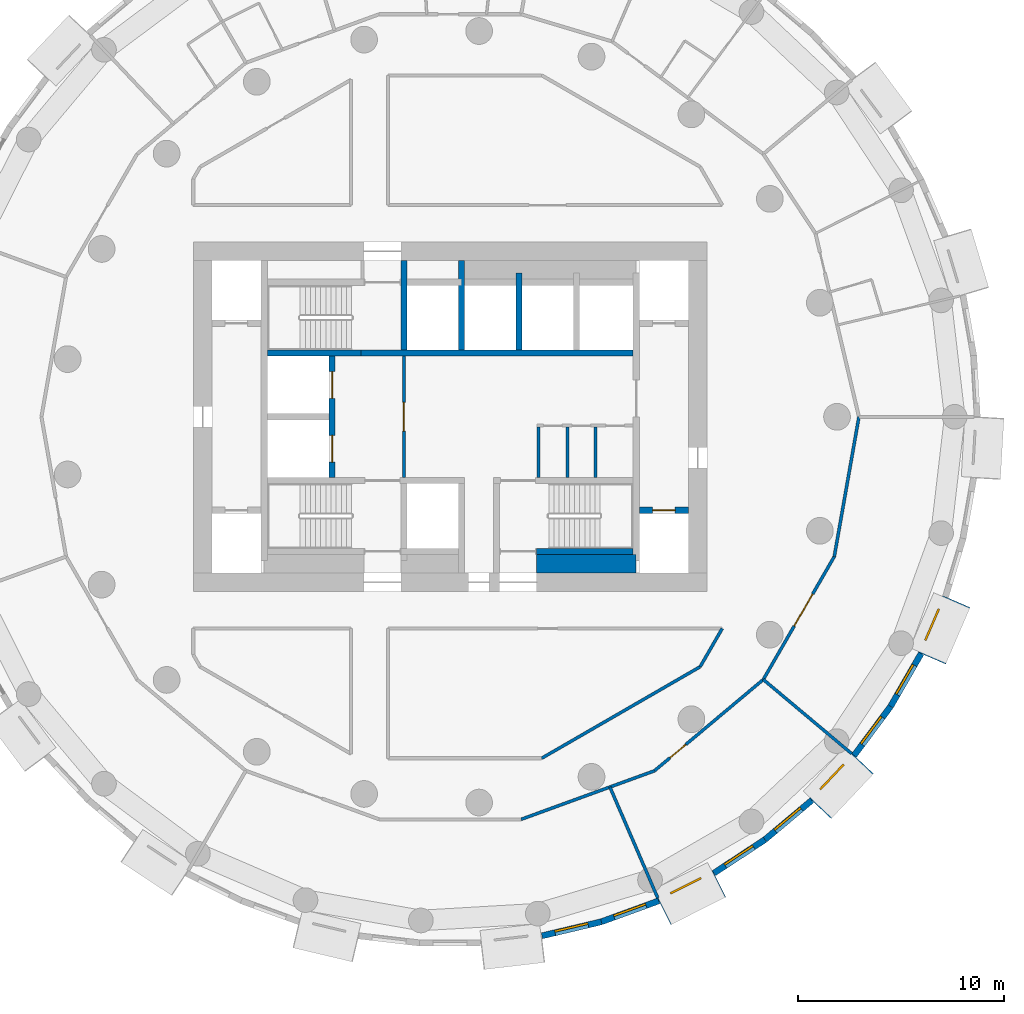
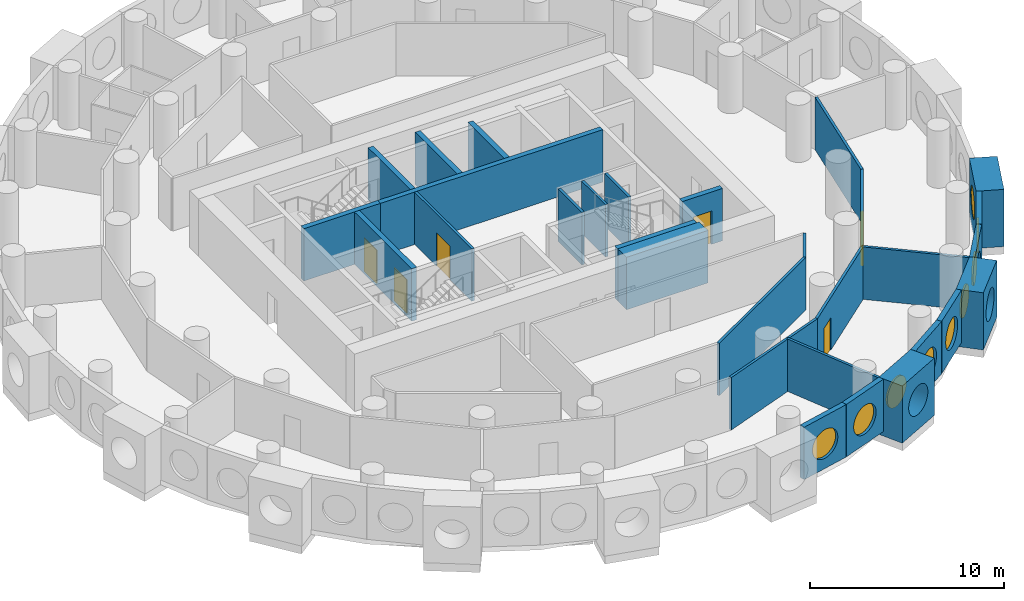
# One storey, part 4 of 9: 30 walls, 9 windows, 6 doors, 15 openings.
"""IFC4 building model written with IfcOpenShell, lengths in metres."""

from ifc_helpers import new_model, si_unit, direction, frame, frame_2d, origin, origin_2d, place, context, subcontext, project, spatial, rectangle, circle, extrude, material, layer, layer_set, type_object, element, fill, save


model = new_model("IFC4")

# Units and contexts
model_context = context("Model", 3, precision=1e-05, world=origin(), true_north=direction((0.0, 1.0)))
body_context = subcontext(model_context, "Body", "Model", "MODEL_VIEW")
ifc_project = project(units=[si_unit("LENGTHUNIT", "METRE"), si_unit("AREAUNIT", "SQUARE_METRE"), si_unit("VOLUMEUNIT", "CUBIC_METRE"), si_unit("PLANEANGLEUNIT", "RADIAN"), si_unit("MASSUNIT", "GRAM", prefix="KILO")], contexts=[model_context])

# Site, building, storey
site_placement = place(None, origin())
site = spatial("IfcSite", under=ifc_project, at=site_placement, CompositionType="ELEMENT")
building_placement = place(site_placement, origin())
building = spatial("IfcBuilding", under=site, at=building_placement, Name="Tracery Tower", CompositionType="ELEMENT")
storey_placement = place(building_placement, frame((0.0, 0.0, 176.39990234375)))
storey = spatial("IfcBuildingStorey", under=building, at=storey_placement, Name="L45", CompositionType="ELEMENT", Elevation=176.39990234375)

# Wall, opening, door
ifc_material_1 = material(Name="Plasterboard on steel studs", Category="steel")
ifc_layer_1 = layer(ifc_material_1, 0.14990234375)
ifc_layer_set_1 = layer_set([ifc_layer_1], Name="Core lobby partition 150")
wall_type_1 = type_object("IfcWallType", Name="Core lobby partition 150", PredefinedType="SOLIDWALL", material=ifc_layer_set_1)
wall_1_placement = place(storey_placement, frame((-2.25, -2.949951171875, 0.0), z_axis=(0.0, 0.0, 1.0), x_axis=(0.0, 1.0, 0.0)))
wall_1 = element("IfcWall", 1, at=wall_1_placement, inside=storey, type_object=wall_type_1, Name="L45 FF lobby E", PredefinedType="SOLIDWALL", context=body_context, shape_type="SweptSolid", body=[
    extrude(rectangle(XDim=5.89990234375, YDim=0.14990234375, at=frame_2d((2.949951171875, 0.0))), origin(), (0.0, 0.0, 1.0), 3.300048828125),
])
opening_1_placement = place(wall_1_placement, frame((2.25, 0.0, 0.0)))
opening_1 = element("IfcOpeningElement", 2, at=opening_1_placement, cuts=wall_1, Name="Opening KD8", PredefinedType="OPENING", context=body_context, shape_type="SweptSolid", body=[
    extrude(rectangle(XDim=1.39990234375, YDim=2.10009765625, at=frame_2d((0.699951171875, 1.050048828125))), frame((0.0, 0.074951171875, 0.0), z_axis=(0.0, -1.0, 0.0), x_axis=(1.0, 0.0, 0.0)), (0.0, 0.0, 1.0), 0.14990234375),
])
ifc_material_2 = material(Name="Steel fire door", Category="steel")
door_type_1 = type_object("IfcDoorType", Name="Core lobby door 1400 double", OperationType="NOTDEFINED", PredefinedType="DOOR", material=ifc_material_2)
door_1_placement = place(opening_1_placement, origin())
door_1 = element("IfcDoor", 3, at=door_1_placement, inside=storey, type_object=door_type_1, Name="Fire-fighting lobby door", OperationType="DOUBLE_DOOR_SINGLE_SWING", OverallHeight=2.10009765625, OverallWidth=1.39990234375, PredefinedType="DOOR", context=body_context, shape_type="SweptSolid", body=[
    extrude(rectangle(XDim=1.39990234375, YDim=2.10009765625, at=frame_2d((0.699951171875, 1.050048828125))), frame((0.0, 0.02490234375, 0.0), z_axis=(0.0, -1.0, 0.0), x_axis=(1.0, 0.0, 0.0)), (0.0, 0.0, 1.0), 0.050048828125),
])
fill(opening_1, door_1)

# Walls
ifc_material_3 = material(Name="Plasterboard on steel studs", Category="steel")
ifc_layer_2 = layer(ifc_material_3, 0.14990234375)
ifc_layer_set_2 = layer_set([ifc_layer_2], Name="Core room partition 150")
wall_type_2 = type_object("IfcWallType", Name="Core room partition 150", PredefinedType="SOLIDWALL", material=ifc_layer_set_2)
for number, where, z_axis, x_axis, name in (
    (4, (4.300048828125, -2.949951171875, 0.0), (0.0, 0.0, 1.0), (0.0, 1.0, 0.0), "L45 slot W"),
    (5, (5.699951171875, -2.949951171875, 0.0), (0.0, 0.0, 1.0), (0.0, 1.0, 0.0), "L45 slot sep 1"),
    (6, (7.074951171875, -2.949951171875, 0.0), (0.0, 0.0, 1.0), (0.0, 1.0, 0.0), "L45 slot sep 2"),
):
    element("IfcWall", number, at=place(storey_placement, frame(where, z_axis=z_axis, x_axis=x_axis)), inside=storey, type_object=wall_type_2, Name=name, PredefinedType="SOLIDWALL", context=body_context, shape_type="SweptSolid", body=[
        extrude(rectangle(XDim=2.449951171875, YDim=0.14990234375, at=frame_2d((1.22509765625, 0.0))), origin(), (0.0, 0.0, 1.0), 3.300048828125),
    ])
ifc_material_4 = material(Name="Concrete C50/60", Category="concrete")
ifc_layer_3 = layer(ifc_material_4, 0.89990234375)
ifc_layer_set_3 = layer_set([ifc_layer_3], Name="Core strip wall 900 C50")
wall_type_3 = type_object("IfcWallType", Name="Core strip wall 900 C50", PredefinedType="SOLIDWALL", material=ifc_layer_set_3)
wall_2_placement = place(storey_placement, frame((4.199951171875, -7.14990234375, 0.0), z_axis=(0.0, 0.0, 1.0), x_axis=(1.0, 0.0, 0.0)))
element("IfcWall", 7, at=wall_2_placement, inside=storey, type_object=wall_type_3, Name="L45 F thick S E", PredefinedType="SOLIDWALL", context=body_context, shape_type="SweptSolid", body=[
    extrude(rectangle(XDim=4.85009765625, YDim=0.89990234375, at=frame_2d((2.425048828125, 0.0))), origin(), (0.0, 0.0, 1.0), 3.300048828125),
])

# Wall, opening, window
ifc_material_5 = material(Name="Precast concrete C50/60", Category="concrete")
ifc_layer_4 = layer(ifc_material_5, 1.449951171875)
ifc_layer_set_4 = layer_set([ifc_layer_4], Name="Deep-set bay unit 3000 x 3600, slab edge 300")
wall_type_4 = type_object("IfcWallType", Name="Deep-set bay unit 3000 x 3600, slab edge 300", PredefinedType="ELEMENTEDWALL", material=ifc_layer_set_4)
wall_3_placement = place(storey_placement, frame((10.40869140625, -24.067626953125, -0.2998046875), z_axis=(0.0, 0.0, 1.0), x_axis=(0.893628249713, 0.448807922518, 0.0)))
wall_3 = element("IfcWall", 8, at=wall_3_placement, inside=storey, type_object=wall_type_4, Name="Deep-set bay unit 45 at L45", PredefinedType="ELEMENTEDWALL", context=body_context, shape_type="SweptSolid", body=[
    extrude(rectangle(XDim=3.0, YDim=1.449951171875, at=frame_2d((1.5, 0.0))), origin(), (0.0, 0.0, 1.0), 3.599853515625),
])
opening_2_placement = place(wall_3_placement, frame((1.5, 0.0, 1.85009765625)))
opening_2 = element("IfcOpeningElement", 9, at=opening_2_placement, cuts=wall_3, Name="Opening WN1", PredefinedType="OPENING", context=body_context, shape_type="SweptSolid", body=[
    extrude(circle(Radius=0.9000244140625, at=origin_2d()), frame((0.0, 0.73486328125, 0.0), z_axis=(0.0, -1.0, 0.0), x_axis=(1.0, 0.0, 0.0)), (0.0, 0.0, 1.0), 1.469970703125),
])
ifc_material_6 = material(Name="Aluminium frame with tinted double glazing", Category="aluminium")
window_type = type_object("IfcWindowType", Name="Round window 1800", PartitioningType="SINGLE_PANEL", PredefinedType="WINDOW", material=ifc_material_6)
window_1_placement = place(opening_2_placement, origin())
window_1 = element("IfcWindow", 10, at=window_1_placement, inside=storey, type_object=window_type, Name="Round window 45 at L45", OverallHeight=1.800048828125, OverallWidth=1.800048828125, PartitioningType="SINGLE_PANEL", PredefinedType="WINDOW", context=body_context, shape_type="SweptSolid", body=[
    extrude(circle(Radius=0.9000244140625, at=origin_2d()), frame((0.0, 0.69482421875, 0.0), z_axis=(0.0, -1.0, 0.0), x_axis=(1.0, 0.0, 0.0)), (0.0, 0.0, 1.0), 0.10009765625),
])
fill(opening_2, window_1)

wall_4_placement = place(storey_placement, frame((18.0126953125, -19.05615234375, -0.2998046875), z_axis=(0.0, 0.0, 1.0), x_axis=(0.686217177108, 0.727396718334, 0.0)))
wall_4 = element("IfcWall", 11, at=wall_4_placement, inside=storey, type_object=wall_type_4, Name="Deep-set bay unit 48 at L45", PredefinedType="ELEMENTEDWALL", context=body_context, shape_type="SweptSolid", body=[
    extrude(rectangle(XDim=3.0, YDim=1.449951171875, at=frame_2d((1.5, 0.0))), origin(), (0.0, 0.0, 1.0), 3.599853515625),
])
opening_3_placement = place(wall_4_placement, frame((1.5, 0.0, 1.85009765625)))
opening_3 = element("IfcOpeningElement", 12, at=opening_3_placement, cuts=wall_4, Name="Opening WN1", PredefinedType="OPENING", context=body_context, shape_type="SweptSolid", body=[
    extrude(circle(Radius=0.9000244140625, at=origin_2d()), frame((0.0, 0.73486328125, 0.0), z_axis=(0.0, -1.0, 0.0), x_axis=(1.0, 0.0, 0.0)), (0.0, 0.0, 1.0), 1.469970703125),
])
window_2_placement = place(opening_3_placement, origin())
window_2 = element("IfcWindow", 13, at=window_2_placement, inside=storey, type_object=window_type, Name="Round window 48 at L45", OverallHeight=1.800048828125, OverallWidth=1.800048828125, PartitioningType="SINGLE_PANEL", PredefinedType="WINDOW", context=body_context, shape_type="SweptSolid", body=[
    extrude(circle(Radius=0.9000244140625, at=origin_2d()), frame((0.0, 0.69482421875, 0.0), z_axis=(0.0, -1.0, 0.0), x_axis=(1.0, 0.0, 0.0)), (0.0, 0.0, 1.0), 0.10009765625),
])
fill(opening_3, window_2)

wall_5_placement = place(storey_placement, frame((23.44384765625, -11.746337890625, -0.2998046875), z_axis=(0.0, 0.0, 1.0), x_axis=(0.396079003245, 0.918216435917, 0.0)))
wall_5 = element("IfcWall", 14, at=wall_5_placement, inside=storey, type_object=wall_type_4, Name="Deep-set bay unit 51 at L45", PredefinedType="ELEMENTEDWALL", context=body_context, shape_type="SweptSolid", body=[
    extrude(rectangle(XDim=3.0, YDim=1.449951171875, at=frame_2d((1.5, 0.0))), origin(), (0.0, 0.0, 1.0), 3.599853515625),
])
opening_4_placement = place(wall_5_placement, frame((1.5, 0.0, 1.85009765625)))
opening_4 = element("IfcOpeningElement", 15, at=opening_4_placement, cuts=wall_5, Name="Opening WN1", PredefinedType="OPENING", context=body_context, shape_type="SweptSolid", body=[
    extrude(circle(Radius=0.9000244140625, at=origin_2d()), frame((0.0, 0.73486328125, 0.0), z_axis=(0.0, -1.0, 0.0), x_axis=(1.0, 0.0, 0.0)), (0.0, 0.0, 1.0), 1.469970703125),
])
window_3_placement = place(opening_4_placement, origin())
window_3 = element("IfcWindow", 16, at=window_3_placement, inside=storey, type_object=window_type, Name="Round window 51 at L45", OverallHeight=1.800048828125, OverallWidth=1.800048828125, PartitioningType="SINGLE_PANEL", PredefinedType="WINDOW", context=body_context, shape_type="SweptSolid", body=[
    extrude(circle(Radius=0.9000244140625, at=origin_2d()), frame((0.0, 0.69482421875, 0.0), z_axis=(0.0, -1.0, 0.0), x_axis=(1.0, 0.0, 0.0)), (0.0, 0.0, 1.0), 0.10009765625),
])
fill(opening_4, window_3)

ifc_material_7 = material(Name="Precast concrete C50/60", Category="concrete")
ifc_layer_5 = layer(ifc_material_7, 0.300048828125)
ifc_layer_set_5 = layer_set([ifc_layer_5], Name="Facade panel 3000 x 3300")
wall_type_5 = type_object("IfcWallType", Name="Facade panel 3000 x 3300", PredefinedType="SOLIDWALL", material=ifc_layer_set_5)
wall_6_placement = place(storey_placement, frame((4.463134765625, -25.255615234375, 0.0), z_axis=(0.0, 0.0, 1.0), x_axis=(0.973045378923, 0.230613725862, 0.0)))
wall_6 = element("IfcWall", 17, at=wall_6_placement, inside=storey, type_object=wall_type_5, Name="Facade panel 43 at L45", PredefinedType="SOLIDWALL", context=body_context, shape_type="SweptSolid", body=[
    extrude(rectangle(XDim=2.97265625, YDim=0.300048828125, at=frame_2d((1.486328125, 0.0))), origin(), (0.0, 0.0, 1.0), 3.300048828125),
])
opening_5_placement = place(wall_6_placement, frame((1.486328125, 0.0, 1.5498046875)))
opening_5 = element("IfcOpeningElement", 18, at=opening_5_placement, cuts=wall_6, Name="Opening WN1", PredefinedType="OPENING", context=body_context, shape_type="SweptSolid", body=[
    extrude(circle(Radius=0.9000244140625, at=origin_2d()), frame((0.0, 0.159912109375, 0.0), z_axis=(0.0, -1.0, 0.0), x_axis=(1.0, 0.0, 0.0)), (0.0, 0.0, 1.0), 0.320068359375),
])
window_4_placement = place(opening_5_placement, origin())
window_4 = element("IfcWindow", 19, at=window_4_placement, inside=storey, type_object=window_type, Name="Round window 43 at L45", OverallHeight=1.800048828125, OverallWidth=1.800048828125, PartitioningType="SINGLE_PANEL", PredefinedType="WINDOW", context=body_context, shape_type="SweptSolid", body=[
    extrude(circle(Radius=0.9000244140625, at=origin_2d()), frame((0.0, 0.1201171875, 0.0), z_axis=(0.0, -1.0, 0.0), x_axis=(1.0, 0.0, 0.0)), (0.0, 0.0, 1.0), 0.10009765625),
])
fill(opening_5, window_4)

wall_7_placement = place(storey_placement, frame((7.355712890625, -24.570068359375, 0.0), z_axis=(0.0, 0.0, 1.0), x_axis=(0.939690282133, 0.342026568652, 0.0)))
wall_7 = element("IfcWall", 20, at=wall_7_placement, inside=storey, type_object=wall_type_5, Name="Facade panel 44 at L45", PredefinedType="SOLIDWALL", context=body_context, shape_type="SweptSolid", body=[
    extrude(rectangle(XDim=2.972900390625, YDim=0.300048828125, at=frame_2d((1.486328125, 0.0))), origin(), (0.0, 0.0, 1.0), 3.300048828125),
])
opening_6_placement = place(wall_7_placement, frame((1.486328125, 0.0, 1.5498046875)))
opening_6 = element("IfcOpeningElement", 21, at=opening_6_placement, cuts=wall_7, Name="Opening WN1", PredefinedType="OPENING", context=body_context, shape_type="SweptSolid", body=[
    extrude(circle(Radius=0.9000244140625, at=origin_2d()), frame((0.0, 0.159912109375, 0.0), z_axis=(0.0, -1.0, 0.0), x_axis=(1.0, 0.0, 0.0)), (0.0, 0.0, 1.0), 0.320068359375),
])
window_5_placement = place(opening_6_placement, origin())
window_5 = element("IfcWindow", 22, at=window_5_placement, inside=storey, type_object=window_type, Name="Round window 44 at L45", OverallHeight=1.800048828125, OverallWidth=1.800048828125, PartitioningType="SINGLE_PANEL", PredefinedType="WINDOW", context=body_context, shape_type="SweptSolid", body=[
    extrude(circle(Radius=0.9000244140625, at=origin_2d()), frame((0.0, 0.1201171875, 0.0), z_axis=(0.0, -1.0, 0.0), x_axis=(1.0, 0.0, 0.0)), (0.0, 0.0, 1.0), 0.10009765625),
])
fill(opening_6, window_5)

wall_8_placement = place(storey_placement, frame((12.831787109375, -22.2060546875, 0.0), z_axis=(0.0, 0.0, 1.0), x_axis=(0.835508361394, 0.54947773207, 0.0)))
wall_8 = element("IfcWall", 23, at=wall_8_placement, inside=storey, type_object=wall_type_5, Name="Facade panel 46 at L45", PredefinedType="SOLIDWALL", context=body_context, shape_type="SweptSolid", body=[
    extrude(rectangle(XDim=2.972900390625, YDim=0.300048828125, at=frame_2d((1.486328125, 0.0))), origin(), (0.0, 0.0, 1.0), 3.300048828125),
])
opening_7_placement = place(wall_8_placement, frame((1.486328125, 0.0, 1.5498046875)))
opening_7 = element("IfcOpeningElement", 24, at=opening_7_placement, cuts=wall_8, Name="Opening WN1", PredefinedType="OPENING", context=body_context, shape_type="SweptSolid", body=[
    extrude(circle(Radius=0.9000244140625, at=origin_2d()), frame((0.0, 0.159912109375, 0.0), z_axis=(0.0, -1.0, 0.0), x_axis=(1.0, 0.0, 0.0)), (0.0, 0.0, 1.0), 0.320068359375),
])
window_6_placement = place(opening_7_placement, origin())
window_6 = element("IfcWindow", 25, at=window_6_placement, inside=storey, type_object=window_type, Name="Round window 46 at L45", OverallHeight=1.800048828125, OverallWidth=1.800048828125, PartitioningType="SINGLE_PANEL", PredefinedType="WINDOW", context=body_context, shape_type="SweptSolid", body=[
    extrude(circle(Radius=0.9000244140625, at=origin_2d()), frame((0.0, 0.1201171875, 0.0), z_axis=(0.0, -1.0, 0.0), x_axis=(1.0, 0.0, 0.0)), (0.0, 0.0, 1.0), 0.10009765625),
])
fill(opening_7, window_6)

wall_9_placement = place(storey_placement, frame((15.315673828125, -20.572509765625, 0.0), z_axis=(0.0, 0.0, 1.0), x_axis=(0.766008913364, 0.642829950023, 0.0)))
wall_9 = element("IfcWall", 26, at=wall_9_placement, inside=storey, type_object=wall_type_5, Name="Facade panel 47 at L45", PredefinedType="SOLIDWALL", context=body_context, shape_type="SweptSolid", body=[
    extrude(rectangle(XDim=2.972900390625, YDim=0.300048828125, at=frame_2d((1.486328125, 0.0))), origin(), (0.0, 0.0, 1.0), 3.300048828125),
])
opening_8_placement = place(wall_9_placement, frame((1.486328125, 0.0, 1.5498046875)))
opening_8 = element("IfcOpeningElement", 27, at=opening_8_placement, cuts=wall_9, Name="Opening WN1", PredefinedType="OPENING", context=body_context, shape_type="SweptSolid", body=[
    extrude(circle(Radius=0.9000244140625, at=origin_2d()), frame((0.0, 0.159912109375, 0.0), z_axis=(0.0, -1.0, 0.0), x_axis=(1.0, 0.0, 0.0)), (0.0, 0.0, 1.0), 0.320068359375),
])
window_7_placement = place(opening_8_placement, origin())
window_7 = element("IfcWindow", 28, at=window_7_placement, inside=storey, type_object=window_type, Name="Round window 47 at L45", OverallHeight=1.800048828125, OverallWidth=1.800048828125, PartitioningType="SINGLE_PANEL", PredefinedType="WINDOW", context=body_context, shape_type="SweptSolid", body=[
    extrude(circle(Radius=0.9000244140625, at=origin_2d()), frame((0.0, 0.1201171875, 0.0), z_axis=(0.0, -1.0, 0.0), x_axis=(1.0, 0.0, 0.0)), (0.0, 0.0, 1.0), 0.10009765625),
])
fill(opening_8, window_7)

wall_10_placement = place(storey_placement, frame((19.65283203125, -16.47802734375, 0.0), z_axis=(0.0, 0.0, 1.0), x_axis=(0.597197580538, 0.80209416517, 0.0)))
wall_10 = element("IfcWall", 29, at=wall_10_placement, inside=storey, type_object=wall_type_5, Name="Facade panel 49 at L45", PredefinedType="SOLIDWALL", context=body_context, shape_type="SweptSolid", body=[
    extrude(rectangle(XDim=2.972900390625, YDim=0.300048828125, at=frame_2d((1.486328125, 0.0))), origin(), (0.0, 0.0, 1.0), 3.300048828125),
])
opening_9_placement = place(wall_10_placement, frame((1.486328125, 0.0, 1.5498046875)))
opening_9 = element("IfcOpeningElement", 30, at=opening_9_placement, cuts=wall_10, Name="Opening WN1", PredefinedType="OPENING", context=body_context, shape_type="SweptSolid", body=[
    extrude(circle(Radius=0.9000244140625, at=origin_2d()), frame((0.0, 0.159912109375, 0.0), z_axis=(0.0, -1.0, 0.0), x_axis=(1.0, 0.0, 0.0)), (0.0, 0.0, 1.0), 0.320068359375),
])
window_8_placement = place(opening_9_placement, origin())
window_8 = element("IfcWindow", 31, at=window_8_placement, inside=storey, type_object=window_type, Name="Round window 49 at L45", OverallHeight=1.800048828125, OverallWidth=1.800048828125, PartitioningType="SINGLE_PANEL", PredefinedType="WINDOW", context=body_context, shape_type="SweptSolid", body=[
    extrude(circle(Radius=0.9000244140625, at=origin_2d()), frame((0.0, 0.1201171875, 0.0), z_axis=(0.0, -1.0, 0.0), x_axis=(1.0, 0.0, 0.0)), (0.0, 0.0, 1.0), 0.10009765625),
])
fill(opening_9, window_8)

wall_11_placement = place(storey_placement, frame((21.42822265625, -14.093505859375, 0.0), z_axis=(0.0, 0.0, 1.0), x_axis=(0.499954672104, 0.866051572276, 0.0)))
wall_11 = element("IfcWall", 32, at=wall_11_placement, inside=storey, type_object=wall_type_5, Name="Facade panel 50 at L45", PredefinedType="SOLIDWALL", context=body_context, shape_type="SweptSolid", body=[
    extrude(rectangle(XDim=2.972900390625, YDim=0.300048828125, at=frame_2d((1.486328125, 0.0))), origin(), (0.0, 0.0, 1.0), 3.300048828125),
])
opening_10_placement = place(wall_11_placement, frame((1.486328125, 0.0, 1.5498046875)))
opening_10 = element("IfcOpeningElement", 33, at=opening_10_placement, cuts=wall_11, Name="Opening WN1", PredefinedType="OPENING", context=body_context, shape_type="SweptSolid", body=[
    extrude(circle(Radius=0.9000244140625, at=origin_2d()), frame((0.0, 0.159912109375, 0.0), z_axis=(0.0, -1.0, 0.0), x_axis=(1.0, 0.0, 0.0)), (0.0, 0.0, 1.0), 0.320068359375),
])
window_9_placement = place(opening_10_placement, origin())
window_9 = element("IfcWindow", 34, at=window_9_placement, inside=storey, type_object=window_type, Name="Round window 50 at L45", OverallHeight=1.800048828125, OverallWidth=1.800048828125, PartitioningType="SINGLE_PANEL", PredefinedType="WINDOW", context=body_context, shape_type="SweptSolid", body=[
    extrude(circle(Radius=0.9000244140625, at=origin_2d()), frame((0.0, 0.1201171875, 0.0), z_axis=(0.0, -1.0, 0.0), x_axis=(1.0, 0.0, 0.0)), (0.0, 0.0, 1.0), 0.10009765625),
])
fill(opening_10, window_9)

# Walls
ifc_material_8 = material(Name="Plasterboard on steel studs", Category="steel")
ifc_layer_6 = layer(ifc_material_8, 0.14990234375)
ifc_layer_set_6 = layer_set([ifc_layer_6], Name="Partition 150 acoustic unit wall")
wall_type_6 = type_object("IfcWallType", Name="Partition 150 acoustic unit wall", PredefinedType="PARTITIONING", material=ifc_layer_set_6)
wall_12_placement = place(storey_placement, frame((7.77099609375, -18.013916015625, 0.0), z_axis=(0.0, 0.0, 1.0), x_axis=(0.39601833725, -0.918242602236, 0.0)))
element("IfcWall", 35, at=wall_12_placement, inside=storey, type_object=wall_type_6, Name="Unit wall RB5-065", PredefinedType="PARTITIONING", context=body_context, shape_type="SweptSolid", body=[
    extrude(rectangle(XDim=5.87890625, YDim=0.14990234375, at=frame_2d((2.939453125, 0.0))), origin(), (0.0, 0.0, 1.0), 3.300048828125),
])
wall_13_placement = place(storey_placement, frame((15.235107421875, -12.783935546875, 0.0), z_axis=(0.0, 0.0, 1.0), x_axis=(0.76609059793, -0.642732600514, 0.0)))
element("IfcWall", 36, at=wall_13_placement, inside=storey, type_object=wall_type_6, Name="Unit wall RB5-066", PredefinedType="PARTITIONING", context=body_context, shape_type="SweptSolid", body=[
    extrude(rectangle(XDim=5.60888671875, YDim=0.14990234375, at=frame_2d((2.804443359375, 0.0))), origin(), (0.0, 0.0, 1.0), 3.300048828125),
])
ifc_material_9 = material(Name="Plasterboard on steel studs", Category="steel")
ifc_layer_7 = layer(ifc_material_9, 0.14990234375)
ifc_layer_set_7 = layer_set([ifc_layer_7], Name="Partition 150 corridor wall")
wall_type_7 = type_object("IfcWallType", Name="Partition 150 corridor wall", PredefinedType="PARTITIONING", material=ifc_layer_set_7)
wall_14_placement = place(storey_placement, frame((12.162109375, -12.162109375, 0.0), z_axis=(0.0, 0.0, 1.0), x_axis=(0.499961633463, 0.866047553582, 0.0)))
element("IfcWall", 37, at=wall_14_placement, inside=storey, type_object=wall_type_7, Name="Corridor wall RB5-006", PredefinedType="PARTITIONING", context=body_context, shape_type="SweptSolid", body=[
    extrude(rectangle(XDim=2.150146484375, YDim=0.14990234375, at=frame_2d((1.0751953125, 0.0))), origin(), (0.0, 0.0, 1.0), 3.300048828125),
])

# Wall, opening, door
wall_15_placement = place(storey_placement, frame((9.943359375, -17.22216796875, 0.0), z_axis=(0.0, 0.0, 1.0), x_axis=(0.766192104565, 0.642611592567, 0.0)))
wall_15 = element("IfcWall", 38, at=wall_15_placement, inside=storey, type_object=wall_type_7, Name="Corridor wall RB5-010", PredefinedType="PARTITIONING", context=body_context, shape_type="SweptSolid", body=[
    extrude(rectangle(XDim=6.906494140625, YDim=0.14990234375, at=frame_2d((3.453125, 0.0))), origin(), (0.0, 0.0, 1.0), 3.300048828125),
])
opening_11_placement = place(wall_15_placement, frame((0.983642578125, 0.0, 0.0)))
opening_11 = element("IfcOpeningElement", 39, at=opening_11_placement, cuts=wall_15, Name="Opening RB5-24", PredefinedType="OPENING", context=body_context, shape_type="SweptSolid", body=[
    extrude(rectangle(XDim=1.0, YDim=2.0400390625, at=frame_2d((0.5, 1.02001953125))), frame((0.0, 0.074951171875, 0.0), z_axis=(0.0, -1.0, 0.0), x_axis=(1.0, 0.0, 0.0)), (0.0, 0.0, 1.0), 0.14990234375),
])
ifc_material_10 = material(Name="Timber door leaf", Category="wood")
door_type_2 = type_object("IfcDoorType", Name="Door communal room 1000", OperationType="NOTDEFINED", PredefinedType="DOOR", material=ifc_material_10)
door_2_placement = place(opening_11_placement, origin())
door_2 = element("IfcDoor", 40, at=door_2_placement, inside=storey, type_object=door_type_2, Name="Communal room door RB5-24", OperationType="SINGLE_SWING_RIGHT", OverallHeight=2.0400390625, OverallWidth=1.0, PredefinedType="DOOR", context=body_context, shape_type="SweptSolid", body=[
    extrude(rectangle(XDim=1.0, YDim=2.0400390625, at=frame_2d((0.5, 1.02001953125))), frame((0.0, 0.02490234375, 0.0), z_axis=(0.0, -1.0, 0.0), x_axis=(1.0, 0.0, 0.0)), (0.0, 0.0, 1.0), 0.050048828125),
])
fill(opening_11, door_2)

# Wall
wall_16_placement = place(storey_placement, frame((18.68798828125, -6.802001953125, 0.0), z_axis=(0.0, 0.0, 1.0), x_axis=(0.173728873845, 0.98479352069, 0.0)))
element("IfcWall", 41, at=wall_16_placement, inside=storey, type_object=wall_type_7, Name="Corridor wall RB5-011", PredefinedType="PARTITIONING", context=body_context, shape_type="SweptSolid", body=[
    extrude(rectangle(XDim=6.906982421875, YDim=0.14990234375, at=frame_2d((3.45361328125, 0.0))), origin(), (0.0, 0.0, 1.0), 3.300048828125),
])

# Wall, opening, door
wall_17_placement = place(storey_placement, frame((15.235107421875, -12.783935546875, 0.0), z_axis=(0.0, 0.0, 1.0), x_axis=(0.499914202267, 0.866074933462, 0.0)))
wall_17 = element("IfcWall", 42, at=wall_17_placement, inside=storey, type_object=wall_type_7, Name="Corridor wall RB5-012", PredefinedType="PARTITIONING", context=body_context, shape_type="SweptSolid", body=[
    extrude(rectangle(XDim=6.906982421875, YDim=0.14990234375, at=frame_2d((3.45361328125, 0.0))), origin(), (0.0, 0.0, 1.0), 3.300048828125),
])
opening_12_placement = place(wall_17_placement, frame((3.003173828125, 0.0, 0.0)))
opening_12 = element("IfcOpeningElement", 43, at=opening_12_placement, cuts=wall_17, Name="Opening RB5-25", PredefinedType="OPENING", context=body_context, shape_type="SweptSolid", body=[
    extrude(rectangle(XDim=1.800048828125, YDim=2.10009765625, at=frame_2d((0.89990234375, 1.050048828125))), frame((0.0, 0.074951171875, 0.0), z_axis=(0.0, -1.0, 0.0), x_axis=(1.0, 0.0, 0.0)), (0.0, 0.0, 1.0), 0.14990234375),
])
ifc_material_11 = material(Name="Timber door leaf", Category="wood")
door_type_3 = type_object("IfcDoorType", Name="Door double lounge 1800", OperationType="NOTDEFINED", PredefinedType="DOOR", material=ifc_material_11)
door_3_placement = place(opening_12_placement, origin())
door_3 = element("IfcDoor", 44, at=door_3_placement, inside=storey, type_object=door_type_3, Name="Double lounge door RB5-25", OperationType="DOUBLE_DOOR_SINGLE_SWING", OverallHeight=2.10009765625, OverallWidth=1.800048828125, PredefinedType="DOOR", context=body_context, shape_type="SweptSolid", body=[
    extrude(rectangle(XDim=1.800048828125, YDim=2.10009765625, at=frame_2d((0.89990234375, 1.050048828125))), frame((0.0, 0.02490234375, 0.0), z_axis=(0.0, -1.0, 0.0), x_axis=(1.0, 0.0, 0.0)), (0.0, 0.0, 1.0), 0.050048828125),
])
fill(opening_12, door_3)

# Walls
wall_18_placement = place(storey_placement, frame((4.451904296875, -16.614013671875, 0.0), z_axis=(0.0, 0.0, 1.0), x_axis=(0.866005203721, 0.500034985904, 0.0)))
element("IfcWall", 45, at=wall_18_placement, inside=storey, type_object=wall_type_7, Name="Corridor wall RB5-035", PredefinedType="PARTITIONING", context=body_context, shape_type="SweptSolid", body=[
    extrude(rectangle(XDim=8.903076171875, YDim=0.14990234375, at=frame_2d((4.45166015625, 0.0))), origin(), (0.0, 0.0, 1.0), 3.300048828125),
])
wall_19_placement = place(storey_placement, frame((3.452880859375, -19.5859375, 0.0), z_axis=(0.0, 0.0, 1.0), x_axis=(0.939695353595, 0.342012634901, 0.0)))
element("IfcWall", 46, at=wall_19_placement, inside=storey, type_object=wall_type_7, Name="Corridor wall RB5-036", PredefinedType="PARTITIONING", context=body_context, shape_type="SweptSolid", body=[
    extrude(rectangle(XDim=6.90771484375, YDim=0.14990234375, at=frame_2d((3.453857421875, 0.0))), origin(), (0.0, 0.0, 1.0), 3.300048828125),
])

# Wall, openings, doors
ifc_material_12 = material(Name="Concrete C50/60", Category="concrete")
ifc_layer_8 = layer(ifc_material_12, 0.300048828125)
ifc_layer_set_8 = layer_set([ifc_layer_8], Name="Shaft wall 300 C50")
wall_type_8 = type_object("IfcWallType", Name="Shaft wall 300 C50", PredefinedType="SOLIDWALL", material=ifc_layer_set_8)
wall_20_placement = place(storey_placement, frame((-5.75, -2.949951171875, 0.0), z_axis=(0.0, 0.0, 1.0), x_axis=(0.0, 1.0, 0.0)))
wall_20 = element("IfcWall", 47, at=wall_20_placement, inside=storey, type_object=wall_type_8, Name="L45 FF doors", PredefinedType="SOLIDWALL", context=body_context, shape_type="SweptSolid", body=[
    extrude(rectangle(XDim=5.89990234375, YDim=0.300048828125, at=frame_2d((2.949951171875, 0.0))), origin(), (0.0, 0.0, 1.0), 3.300048828125),
])
opening_13_placement = place(wall_20_placement, frame((0.75, 0.0, 0.0)))
opening_13 = element("IfcOpeningElement", 48, at=opening_13_placement, cuts=wall_20, Name="Opening KD54", PredefinedType="OPENING", context=body_context, shape_type="SweptSolid", body=[
    extrude(rectangle(XDim=1.300048828125, YDim=2.10009765625, at=frame_2d((0.64990234375, 1.050048828125))), frame((0.0, 0.14990234375, 0.0), z_axis=(0.0, -1.0, 0.0), x_axis=(1.0, 0.0, 0.0)), (0.0, 0.0, 1.0), 0.300048828125),
])
opening_14_placement = place(wall_20_placement, frame((3.85009765625, 0.0, 0.0)))
opening_14 = element("IfcOpeningElement", 49, at=opening_14_placement, cuts=wall_20, Name="Opening KD55", PredefinedType="OPENING", context=body_context, shape_type="SweptSolid", body=[
    extrude(rectangle(XDim=1.300048828125, YDim=2.10009765625, at=frame_2d((0.64990234375, 1.050048828125))), frame((0.0, 0.14990234375, 0.0), z_axis=(0.0, -1.0, 0.0), x_axis=(1.0, 0.0, 0.0)), (0.0, 0.0, 1.0), 0.300048828125),
])
ifc_material_13 = material(Name="Steel fire door", Category="steel")
door_type_4 = type_object("IfcDoorType", Name="Landing door FF 1300", OperationType="NOTDEFINED", PredefinedType="DOOR", material=ifc_material_13)
door_4_placement = place(opening_13_placement, origin())
door_4 = element("IfcDoor", 50, at=door_4_placement, inside=storey, type_object=door_type_4, Name="Landing door FF1", OperationType="SLIDING_TO_LEFT", OverallHeight=2.10009765625, OverallWidth=1.300048828125, PredefinedType="DOOR", context=body_context, shape_type="SweptSolid", body=[
    extrude(rectangle(XDim=1.300048828125, YDim=2.10009765625, at=frame_2d((0.64990234375, 1.050048828125))), frame((0.0, 0.02490234375, 0.0), z_axis=(0.0, -1.0, 0.0), x_axis=(1.0, 0.0, 0.0)), (0.0, 0.0, 1.0), 0.050048828125),
])
fill(opening_13, door_4)
door_5_placement = place(opening_14_placement, origin())
door_5 = element("IfcDoor", 51, at=door_5_placement, inside=storey, type_object=door_type_4, Name="Landing door FF2", OperationType="SLIDING_TO_RIGHT", OverallHeight=2.10009765625, OverallWidth=1.300048828125, PredefinedType="DOOR", context=body_context, shape_type="SweptSolid", body=[
    extrude(rectangle(XDim=1.300048828125, YDim=2.10009765625, at=frame_2d((0.64990234375, 1.050048828125))), frame((0.0, 0.02490234375, 0.0), z_axis=(0.0, -1.0, 0.0), x_axis=(1.0, 0.0, 0.0)), (0.0, 0.0, 1.0), 0.050048828125),
])
fill(opening_14, door_5)

# Walls
wall_21_placement = place(storey_placement, frame((0.550048828125, 3.25, 0.0), z_axis=(0.0, 0.0, 1.0), x_axis=(0.0, 1.0, 0.0)))
element("IfcWall", 52, at=wall_21_placement, inside=storey, type_object=wall_type_8, Name="L45 HR sep 1", PredefinedType="SOLIDWALL", context=body_context, shape_type="SweptSolid", body=[
    extrude(rectangle(XDim=4.35009765625, YDim=0.300048828125, at=frame_2d((2.175048828125, 0.0))), origin(), (0.0, 0.0, 1.0), 3.300048828125),
])
wall_22_placement = place(storey_placement, frame((3.35009765625, 3.25, 0.0), z_axis=(0.0, 0.0, 1.0), x_axis=(0.0, 1.0, 0.0)))
element("IfcWall", 53, at=wall_22_placement, inside=storey, type_object=wall_type_8, Name="L45 HR sep 2", PredefinedType="SOLIDWALL", context=body_context, shape_type="SweptSolid", body=[
    extrude(rectangle(XDim=3.75, YDim=0.300048828125, at=frame_2d((1.875, 0.0))), origin(), (0.0, 0.0, 1.0), 3.300048828125),
])

# Wall, opening, door
wall_23_placement = place(storey_placement, frame((9.199951171875, -4.550048828125, 0.0), z_axis=(0.0, 0.0, 1.0), x_axis=(1.0, 0.0, 0.0)))
wall_23 = element("IfcWall", 54, at=wall_23_placement, inside=storey, type_object=wall_type_8, Name="L45 MR E -4.55", PredefinedType="SOLIDWALL", context=body_context, shape_type="SweptSolid", body=[
    extrude(rectangle(XDim=2.400146484375, YDim=0.300048828125, at=frame_2d((1.2001953125, 0.0))), origin(), (0.0, 0.0, 1.0), 3.300048828125),
])
opening_15_placement = place(wall_23_placement, frame((0.64990234375, 0.0, 0.0)))
opening_15 = element("IfcOpeningElement", 55, at=opening_15_placement, cuts=wall_23, Name="Opening KD50", PredefinedType="OPENING", context=body_context, shape_type="SweptSolid", body=[
    extrude(rectangle(XDim=1.10009765625, YDim=2.10009765625, at=frame_2d((0.550048828125, 1.050048828125))), frame((0.0, 0.14990234375, 0.0), z_axis=(0.0, -1.0, 0.0), x_axis=(1.0, 0.0, 0.0)), (0.0, 0.0, 1.0), 0.300048828125),
])
ifc_material_14 = material(Name="Steel fire door", Category="steel")
door_type_5 = type_object("IfcDoorType", Name="Landing door 1100", OperationType="NOTDEFINED", PredefinedType="DOOR", material=ifc_material_14)
door_6_placement = place(opening_15_placement, origin())
door_6 = element("IfcDoor", 56, at=door_6_placement, inside=storey, type_object=door_type_5, Name="Landing door MR3", OperationType="SLIDING_TO_RIGHT", OverallHeight=2.10009765625, OverallWidth=1.10009765625, PredefinedType="DOOR", context=body_context, shape_type="SweptSolid", body=[
    extrude(rectangle(XDim=1.10009765625, YDim=2.10009765625, at=frame_2d((0.550048828125, 1.050048828125))), frame((0.0, 0.02490234375, 0.0), z_axis=(0.0, -1.0, 0.0), x_axis=(1.0, 0.0, 0.0)), (0.0, 0.0, 1.0), 0.050048828125),
])
fill(opening_15, door_6)

# Walls
ifc_material_15 = material(Name="Concrete C50/60", Category="concrete")
ifc_layer_9 = layer(ifc_material_15, 0.300048828125)
ifc_layer_set_9 = layer_set([ifc_layer_9], Name="Stair wall 300 C50")
wall_type_9 = type_object("IfcWallType", Name="Stair wall 300 C50", PredefinedType="SOLIDWALL", material=ifc_layer_set_9)
wall_24_placement = place(storey_placement, frame((-8.89990234375, 3.10009765625, 0.0), z_axis=(0.0, 0.0, 1.0), x_axis=(1.0, 0.0, 0.0)))
element("IfcWall", 57, at=wall_24_placement, inside=storey, type_object=wall_type_9, Name="L45 row N W", PredefinedType="SOLIDWALL", context=body_context, shape_type="SweptSolid", body=[
    extrude(rectangle(XDim=4.5498046875, YDim=0.300048828125, at=frame_2d((2.27490234375, 0.0))), origin(), (0.0, 0.0, 1.0), 3.300048828125),
])
wall_25_placement = place(storey_placement, frame((-4.35009765625, 3.10009765625, 0.0), z_axis=(0.0, 0.0, 1.0), x_axis=(1.0, 0.0, 0.0)))
element("IfcWall", 58, at=wall_25_placement, inside=storey, type_object=wall_type_9, Name="L45 row N", PredefinedType="SOLIDWALL", context=body_context, shape_type="SweptSolid", body=[
    extrude(rectangle(XDim=13.25, YDim=0.300048828125, at=frame_2d((6.625, 0.0))), origin(), (0.0, 0.0, 1.0), 3.300048828125),
])
wall_26_placement = place(storey_placement, frame((-2.25, 3.25, 0.0), z_axis=(0.0, 0.0, 1.0), x_axis=(0.0, 1.0, 0.0)))
element("IfcWall", 59, at=wall_26_placement, inside=storey, type_object=wall_type_9, Name="L45 ST3 E", PredefinedType="SOLIDWALL", context=body_context, shape_type="SweptSolid", body=[
    extrude(rectangle(XDim=4.35009765625, YDim=0.300048828125, at=frame_2d((2.175048828125, 0.0))), origin(), (0.0, 0.0, 1.0), 3.300048828125),
])
wall_27_placement = place(storey_placement, frame((4.199951171875, -6.550048828125, 0.0), z_axis=(0.0, 0.0, 1.0), x_axis=(1.0, 0.0, 0.0)))
element("IfcWall", 60, at=wall_27_placement, inside=storey, type_object=wall_type_9, Name="L45 F stair strip S E", PredefinedType="SOLIDWALL", context=body_context, shape_type="SweptSolid", body=[
    extrude(rectangle(XDim=4.699951171875, YDim=0.300048828125, at=frame_2d((2.35009765625, 0.0))), origin(), (0.0, 0.0, 1.0), 3.300048828125),
])

save(model, "model.ifc")
